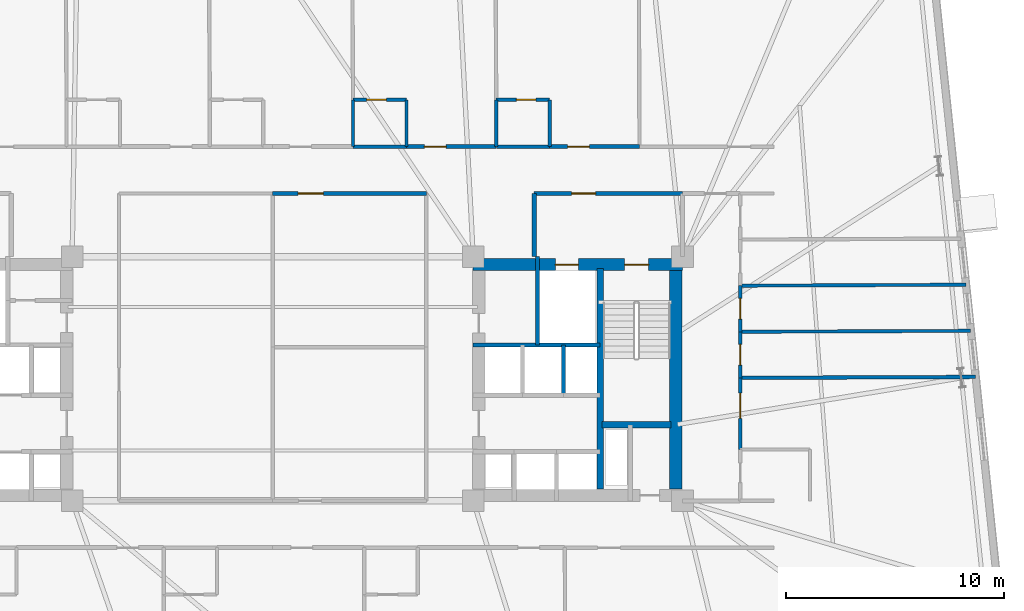
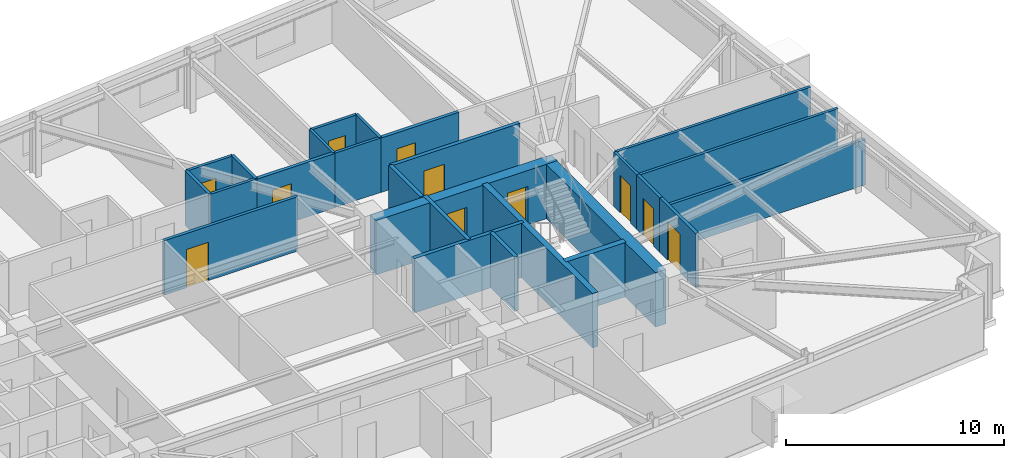
# One storey, part 15 of 19: 26 walls, 11 doors, 11 openings.
"""IFC4 building model written with IfcOpenShell, lengths in metres."""

from ifc_helpers import new_model, si_unit, direction, frame, frame_2d, origin, place, context, subcontext, project, spatial, rectangle, extrude, material, layer, layer_set, type_object, element, fill, save


model = new_model("IFC4")

# Units and contexts
model_context = context("Model", 3, precision=1e-05, world=origin(), true_north=direction((0.0, 1.0)))
body_context = subcontext(model_context, "Body", "Model", "MODEL_VIEW")
ifc_project = project(units=[si_unit("LENGTHUNIT", "METRE"), si_unit("AREAUNIT", "SQUARE_METRE"), si_unit("VOLUMEUNIT", "CUBIC_METRE"), si_unit("PLANEANGLEUNIT", "RADIAN"), si_unit("MASSUNIT", "GRAM", prefix="KILO")], contexts=[model_context])

# Site, building, storey
site_placement = place(None, origin())
site = spatial("IfcSite", under=ifc_project, at=site_placement, CompositionType="ELEMENT")
building_placement = place(site_placement, origin())
building = spatial("IfcBuilding", under=site, at=building_placement, Name="Qobustan Lattice House", CompositionType="ELEMENT")
storey_placement = place(building_placement, frame((0.0, 0.0, 85.699951171875)))
storey = spatial("IfcBuildingStorey", under=building, at=storey_placement, Name="L23", CompositionType="ELEMENT", Elevation=85.699951171875)

# Wall, openings, doors
ifc_material_1 = material(Name="Concrete C60/75", Category="concrete")
ifc_layer_1 = layer(ifc_material_1, 0.56005859375)
ifc_layer_set_1 = layer_set([ifc_layer_1], Name="Concrete C60/75")
wall_type_1 = type_object("IfcWallType", Name="WAL-CORE-600", PredefinedType="SHEAR", material=ifc_layer_set_1)
wall_1_placement = place(storey_placement, frame((9.199951171875, 5.239990234375, 0.0), z_axis=(0.0, 0.0, 1.0), x_axis=(1.0, 0.0, 0.0)))
wall_1 = element("IfcWall", 1, at=wall_1_placement, inside=storey, type_object=wall_type_1, Name="L23 split-core shear wall CE-N", PredefinedType="SHEAR", context=body_context, shape_type="SweptSolid", body=[
    extrude(rectangle(XDim=9.60009765625, YDim=0.56005859375, at=frame_2d((4.800048828125, 0.0))), origin(), (0.0, 0.0, 1.0), 3.045166015625),
])
opening_1_placement = place(wall_1_placement, frame((6.949951171875, 0.0, 0.0)))
opening_1 = element("IfcOpeningElement", 2, at=opening_1_placement, cuts=wall_1, Name="Opening SD-01", PredefinedType="OPENING", context=body_context, shape_type="SweptSolid", body=[
    extrude(rectangle(XDim=1.10009765625, YDim=2.14990234375, at=frame_2d((0.550048828125, 1.074951171875))), frame((0.0, 0.2900390625, 0.0), z_axis=(0.0, -1.0, 0.0), x_axis=(1.0, 0.0, 0.0)), (0.0, 0.0, 1.0), 0.580078125),
])
opening_2_placement = place(wall_1_placement, frame((3.77490234375, 0.0, 0.0)))
opening_2 = element("IfcOpeningElement", 3, at=opening_2_placement, cuts=wall_1, Name="Opening LD-01", PredefinedType="OPENING", context=body_context, shape_type="SweptSolid", body=[
    extrude(rectangle(XDim=1.050048828125, YDim=2.10009765625, at=frame_2d((0.52490234375, 1.050048828125))), frame((0.0, 0.2900390625, 0.0), z_axis=(0.0, -1.0, 0.0), x_axis=(1.0, 0.0, 0.0)), (0.0, 0.0, 1.0), 0.580078125),
])
ifc_material_2 = material(Name="Persian walnut timber and steel frame door", Category="steel")
door_type_1 = type_object("IfcDoorType", Name="DOR-LIFT-LD-1050x2100", OperationType="NOTDEFINED", PredefinedType="DOOR", material=ifc_material_2)
door_1_placement = place(opening_2_placement, origin())
door_1 = element("IfcDoor", 4, at=door_1_placement, inside=storey, type_object=door_type_1, Name="L23 firefighting lift FF-E landing door", OperationType="DOUBLE_DOOR_SLIDING", OverallHeight=2.10009765625, OverallWidth=1.050048828125, PredefinedType="DOOR", context=body_context, shape_type="SweptSolid", body=[
    extrude(rectangle(XDim=1.050048828125, YDim=2.10009765625, at=frame_2d((0.52490234375, 1.050048828125))), frame((0.0, 0.02490234375, 0.0), z_axis=(0.0, -1.0, 0.0), x_axis=(1.0, 0.0, 0.0)), (0.0, 0.0, 1.0), 0.050048828125),
])
fill(opening_2, door_1)
ifc_material_3 = material(Name="Persian walnut timber and steel frame door", Category="steel")
door_type_2 = type_object("IfcDoorType", Name="DOR-STAIR-FD-1100x2150", OperationType="NOTDEFINED", PredefinedType="DOOR", material=ifc_material_3)
door_2_placement = place(opening_1_placement, origin())
door_2 = element("IfcDoor", 5, at=door_2_placement, inside=storey, type_object=door_type_2, Name="L23 exit stair ST-E1 fire door", OperationType="SINGLE_SWING_RIGHT", OverallHeight=2.14990234375, OverallWidth=1.10009765625, PredefinedType="DOOR", context=body_context, shape_type="SweptSolid", body=[
    extrude(rectangle(XDim=1.10009765625, YDim=2.14990234375, at=frame_2d((0.550048828125, 1.074951171875))), frame((0.0, 0.02490234375, 0.0), z_axis=(0.0, -1.0, 0.0), x_axis=(1.0, 0.0, 0.0)), (0.0, 0.0, 1.0), 0.050048828125),
])
fill(opening_1, door_2)

# Walls
wall_2_placement = place(storey_placement, frame((18.489990234375, -5.050048828125, 0.0), z_axis=(0.0, 0.0, 1.0), x_axis=(0.0, 1.0, 0.0)))
element("IfcWall", 6, at=wall_2_placement, inside=storey, type_object=wall_type_1, Name="L23 split-core shear wall CE-E", PredefinedType="SHEAR", context=body_context, shape_type="SweptSolid", body=[
    extrude(rectangle(XDim=10.10009765625, YDim=0.56005859375, at=frame_2d((5.050048828125, 0.0))), origin(), (0.0, 0.0, 1.0), 3.045166015625),
])
ifc_material_4 = material(Name="Concrete C50/60", Category="concrete")
ifc_layer_2 = layer(ifc_material_4, 0.280029296875)
ifc_layer_set_2 = layer_set([ifc_layer_2], Name="Concrete C50/60")
wall_type_2 = type_object("IfcWallType", Name="WAL-CORE-SPINE-280", PredefinedType="SHEAR", material=ifc_layer_set_2)
wall_3_placement = place(storey_placement, frame((15.02001953125, -5.050048828125, 0.0), z_axis=(0.0, 0.0, 1.0), x_axis=(0.0, 1.0, 0.0)))
element("IfcWall", 7, at=wall_3_placement, inside=storey, type_object=wall_type_2, Name="L23 split-core shear wall CE-M", PredefinedType="SHEAR", context=body_context, shape_type="SweptSolid", body=[
    extrude(rectangle(XDim=10.10009765625, YDim=0.300048828125, at=frame_2d((5.050048828125, 0.0))), origin(), (0.0, 0.0, 1.0), 3.045166015625),
])
wall_4_placement = place(storey_placement, frame((15.10009765625, -2.110107421875, 0.0), z_axis=(0.0, 0.0, 1.0), x_axis=(1.0, 0.0, 0.0)))
element("IfcWall", 8, at=wall_4_placement, inside=storey, type_object=wall_type_2, Name="L23 split-core shear wall CE-ST", PredefinedType="SHEAR", context=body_context, shape_type="SweptSolid", body=[
    extrude(rectangle(XDim=3.179931640625, YDim=0.300048828125, at=frame_2d((1.58984375, 0.0))), origin(), (0.0, 0.0, 1.0), 3.045166015625),
])

# Wall, opening, door
ifc_material_5 = material(Name="Gypsum fireboard acoustic partition", Category="gypsum")
ifc_layer_3 = layer(ifc_material_5, 0.179931640625)
ifc_layer_set_3 = layer_set([ifc_layer_3], Name="Gypsum fireboard acoustic partition")
wall_type_3 = type_object("IfcWallType", Name="WAL-FIRE-180", PredefinedType="PARTITIONING", material=ifc_layer_set_3)
wall_5_placement = place(storey_placement, frame((6.135986328125, 10.64990234375, 0.0), z_axis=(0.0, 0.0, 1.0), x_axis=(1.0, 0.0, 0.0)))
wall_5 = element("IfcWall", 9, at=wall_5_placement, inside=storey, type_object=wall_type_3, Name="L23 interior partition 50", PredefinedType="PARTITIONING", context=body_context, shape_type="SweptSolid", body=[
    extrude(rectangle(XDim=4.12109375, YDim=0.179931640625, at=frame_2d((2.060546875, 0.0))), origin(), (0.0, 0.0, 1.0), 3.045166015625),
])
opening_3_placement = place(wall_5_placement, frame((0.8251953125, 0.0, 0.0)))
opening_3 = element("IfcOpeningElement", 10, at=opening_3_placement, cuts=wall_5, Name="Opening FD-02", PredefinedType="OPENING", context=body_context, shape_type="SweptSolid", body=[
    extrude(rectangle(XDim=1.0, YDim=2.14990234375, at=frame_2d((0.5, 1.074951171875))), frame((0.0, 0.099853515625, 0.0), z_axis=(0.0, -1.0, 0.0), x_axis=(1.0, 0.0, 0.0)), (0.0, 0.0, 1.0), 0.199951171875),
])
ifc_material_6 = material(Name="Persian walnut timber and steel frame door", Category="steel")
door_type_3 = type_object("IfcDoorType", Name="DOR-UNIT-FD-1000x2150", OperationType="NOTDEFINED", PredefinedType="DOOR", material=ifc_material_6)
door_3_placement = place(opening_3_placement, origin())
door_3 = element("IfcDoor", 11, at=door_3_placement, inside=storey, type_object=door_type_3, Name="L23 North-east floor corridor to Kitchenette and studio apartment L23-N5 door", OperationType="SINGLE_SWING_LEFT", OverallHeight=2.14990234375, OverallWidth=1.0, PredefinedType="DOOR", context=body_context, shape_type="SweptSolid", body=[
    extrude(rectangle(XDim=1.0, YDim=2.14990234375, at=frame_2d((0.5, 1.074951171875))), frame((0.0, 0.02490234375, 0.0), z_axis=(0.0, -1.0, 0.0), x_axis=(1.0, 0.0, 0.0)), (0.0, 0.0, 1.0), 0.050048828125),
])
fill(opening_3, door_3)

wall_6_placement = place(storey_placement, frame((12.70703125, 10.64990234375, 0.0), z_axis=(0.0, 0.0, 1.0), x_axis=(1.0, 0.0, 0.0)))
wall_6 = element("IfcWall", 12, at=wall_6_placement, inside=storey, type_object=wall_type_3, Name="L23 interior partition 52", PredefinedType="PARTITIONING", context=body_context, shape_type="SweptSolid", body=[
    extrude(rectangle(XDim=4.1220703125, YDim=0.179931640625, at=frame_2d((2.06103515625, 0.0))), origin(), (0.0, 0.0, 1.0), 3.045166015625),
])
opening_4_placement = place(wall_6_placement, frame((0.8251953125, 0.0, 0.0)))
opening_4 = element("IfcOpeningElement", 13, at=opening_4_placement, cuts=wall_6, Name="Opening FD-02", PredefinedType="OPENING", context=body_context, shape_type="SweptSolid", body=[
    extrude(rectangle(XDim=1.0, YDim=2.14990234375, at=frame_2d((0.5, 1.074951171875))), frame((0.0, 0.099853515625, 0.0), z_axis=(0.0, -1.0, 0.0), x_axis=(1.0, 0.0, 0.0)), (0.0, 0.0, 1.0), 0.199951171875),
])
door_4_placement = place(opening_4_placement, origin())
door_4 = element("IfcDoor", 14, at=door_4_placement, inside=storey, type_object=door_type_3, Name="L23 North-east floor corridor to Kitchenette and studio apartment L23-N6 door", OperationType="SINGLE_SWING_RIGHT", OverallHeight=2.14990234375, OverallWidth=1.0, PredefinedType="DOOR", context=body_context, shape_type="SweptSolid", body=[
    extrude(rectangle(XDim=1.0, YDim=2.14990234375, at=frame_2d((0.5, 1.074951171875))), frame((0.0, 0.02490234375, 0.0), z_axis=(0.0, -1.0, 0.0), x_axis=(1.0, 0.0, 0.0)), (0.0, 0.0, 1.0), 0.050048828125),
])
fill(opening_4, door_4)

ifc_material_7 = material(Name="Acoustic twin-stud gypsum partition", Category="gypsum")
ifc_layer_4 = layer(ifc_material_7, 0.14990234375)
ifc_layer_set_4 = layer_set([ifc_layer_4], Name="Acoustic twin-stud gypsum partition")
wall_type_4 = type_object("IfcWallType", Name="WAL-PART-150", PredefinedType="PARTITIONING", material=ifc_layer_set_4)
wall_7_placement = place(storey_placement, frame((21.449951171875, 2.155029296875, 0.0), z_axis=(0.0, 0.0, 1.0), x_axis=(0.0, -1.0, 0.0)))
wall_7 = element("IfcWall", 15, at=wall_7_placement, inside=storey, type_object=wall_type_4, Name="L23 interior partition 86", PredefinedType="PARTITIONING", context=body_context, shape_type="SweptSolid", body=[
    extrude(rectangle(XDim=2.114990234375, YDim=0.14990234375, at=frame_2d((1.0576171875, 0.0))), origin(), (0.0, 0.0, 1.0), 3.045166015625),
])
opening_5_placement = place(wall_7_placement, frame((0.58251953125, 0.0, 0.0)))
opening_5 = element("IfcOpeningElement", 16, at=opening_5_placement, cuts=wall_7, Name="Opening ID-01", PredefinedType="OPENING", context=body_context, shape_type="SweptSolid", body=[
    extrude(rectangle(XDim=0.949951171875, YDim=2.10009765625, at=frame_2d((0.47509765625, 1.050048828125))), frame((0.0, 0.0849609375, 0.0), z_axis=(0.0, -1.0, 0.0), x_axis=(1.0, 0.0, 0.0)), (0.0, 0.0, 1.0), 0.169921875),
])
ifc_material_8 = material(Name="Persian walnut timber and steel frame door", Category="steel")
door_type_4 = type_object("IfcDoorType", Name="DOR-ROOM-950x2100", OperationType="NOTDEFINED", PredefinedType="DOOR", material=ifc_material_8)
door_5_placement = place(opening_5_placement, origin())
door_5 = element("IfcDoor", 17, at=door_5_placement, inside=storey, type_object=door_type_4, Name="L23 Residence entrance hall L23E to Cluster bedroom L23E1 door", OperationType="SINGLE_SWING_RIGHT", OverallHeight=2.10009765625, OverallWidth=0.949951171875, PredefinedType="DOOR", context=body_context, shape_type="SweptSolid", body=[
    extrude(rectangle(XDim=0.949951171875, YDim=2.10009765625, at=frame_2d((0.47509765625, 1.050048828125))), frame((0.0, 0.02490234375, 0.0), z_axis=(0.0, -1.0, 0.0), x_axis=(1.0, 0.0, 0.0)), (0.0, 0.0, 1.0), 0.050048828125),
])
fill(opening_5, door_5)

wall_8_placement = place(storey_placement, frame((21.449951171875, 4.27001953125, 0.0), z_axis=(0.0, 0.0, 1.0), x_axis=(0.0, -1.0, 0.0)))
wall_8 = element("IfcWall", 18, at=wall_8_placement, inside=storey, type_object=wall_type_4, Name="L23 interior partition 87", PredefinedType="PARTITIONING", context=body_context, shape_type="SweptSolid", body=[
    extrude(rectangle(XDim=2.114990234375, YDim=0.14990234375, at=frame_2d((1.0576171875, 0.0))), origin(), (0.0, 0.0, 1.0), 3.045166015625),
])
opening_6_placement = place(wall_8_placement, frame((0.58251953125, 0.0, 0.0)))
opening_6 = element("IfcOpeningElement", 19, at=opening_6_placement, cuts=wall_8, Name="Opening ID-01", PredefinedType="OPENING", context=body_context, shape_type="SweptSolid", body=[
    extrude(rectangle(XDim=0.949951171875, YDim=2.10009765625, at=frame_2d((0.47509765625, 1.050048828125))), frame((0.0, 0.0849609375, 0.0), z_axis=(0.0, -1.0, 0.0), x_axis=(1.0, 0.0, 0.0)), (0.0, 0.0, 1.0), 0.169921875),
])
door_6_placement = place(opening_6_placement, origin())
door_6 = element("IfcDoor", 20, at=door_6_placement, inside=storey, type_object=door_type_4, Name="L23 Residence entrance hall L23E to Cluster bedroom L23E2 door", OperationType="SINGLE_SWING_LEFT", OverallHeight=2.10009765625, OverallWidth=0.949951171875, PredefinedType="DOOR", context=body_context, shape_type="SweptSolid", body=[
    extrude(rectangle(XDim=0.949951171875, YDim=2.10009765625, at=frame_2d((0.47509765625, 1.050048828125))), frame((0.0, 0.02490234375, 0.0), z_axis=(0.0, -1.0, 0.0), x_axis=(1.0, 0.0, 0.0)), (0.0, 0.0, 1.0), 0.050048828125),
])
fill(opening_6, door_6)

# Walls
wall_9_placement = place(storey_placement, frame((21.449951171875, 2.155029296875, 0.0), z_axis=(0.0, 0.0, 1.0), x_axis=(0.999991365588, 0.004155568413, 0.0)))
element("IfcWall", 21, at=wall_9_placement, inside=storey, type_object=wall_type_4, Name="L23 interior partition 93", PredefinedType="PARTITIONING", context=body_context, shape_type="SweptSolid", body=[
    extrude(rectangle(XDim=10.574951171875, YDim=0.14990234375, at=frame_2d((5.28759765625, 0.0))), origin(), (0.0, 0.0, 1.0), 3.045166015625),
])
wall_10_placement = place(storey_placement, frame((21.449951171875, 4.27001953125, 0.0), z_axis=(0.0, 0.0, 1.0), x_axis=(0.999990991033, 0.004244744214, 0.0)))
element("IfcWall", 22, at=wall_10_placement, inside=storey, type_object=wall_type_4, Name="L23 interior partition 94", PredefinedType="PARTITIONING", context=body_context, shape_type="SweptSolid", body=[
    extrude(rectangle(XDim=10.352783203125, YDim=0.14990234375, at=frame_2d((5.17626953125, 0.0))), origin(), (0.0, 0.0, 1.0), 3.045166015625),
])

# Wall, opening, door
ifc_material_9 = material(Name="High-mass acoustic twin-stud partition", Category="gypsum")
ifc_layer_5 = layer(ifc_material_9, 0.1650390625)
ifc_layer_set_5 = layer_set([ifc_layer_5], Name="High-mass acoustic twin-stud partition")
wall_type_5 = type_object("IfcWallType", Name="WAL-PART-165", PredefinedType="PARTITIONING", material=ifc_layer_set_5)
wall_11_placement = place(storey_placement, frame((7.050048828125, 8.5, 0.0), z_axis=(0.0, 0.0, 1.0), x_axis=(-1.0, 0.0, 0.0)))
wall_11 = element("IfcWall", 23, at=wall_11_placement, inside=storey, type_object=wall_type_5, Name="L23 interior partition 55", PredefinedType="PARTITIONING", context=body_context, shape_type="SweptSolid", body=[
    extrude(rectangle(XDim=7.050048828125, YDim=0.1650390625, at=frame_2d((3.52490234375, 0.0))), origin(), (0.0, 0.0, 1.0), 3.045166015625),
])
opening_7_placement = place(wall_11_placement, frame((4.7275390625, 0.0, 0.0)))
opening_7 = element("IfcOpeningElement", 24, at=opening_7_placement, cuts=wall_11, Name="Opening ID-03", PredefinedType="OPENING", context=body_context, shape_type="SweptSolid", body=[
    extrude(rectangle(XDim=1.14990234375, YDim=2.14990234375, at=frame_2d((0.574951171875, 1.074951171875))), frame((0.0, 0.092529296875, 0.0), z_axis=(0.0, -1.0, 0.0), x_axis=(1.0, 0.0, 0.0)), (0.0, 0.0, 1.0), 0.18505859375),
])
ifc_material_10 = material(Name="Persian walnut timber and steel frame door", Category="steel")
door_type_5 = type_object("IfcDoorType", Name="DOR-KITCH-1150x2150", OperationType="NOTDEFINED", PredefinedType="DOOR", material=ifc_material_10)
door_7_placement = place(opening_7_placement, origin())
door_7 = element("IfcDoor", 25, at=door_7_placement, inside=storey, type_object=door_type_5, Name="L23 North-east floor corridor to Communal kitchen dining door", OperationType="SINGLE_SWING_RIGHT", OverallHeight=2.14990234375, OverallWidth=1.14990234375, PredefinedType="DOOR", context=body_context, shape_type="SweptSolid", body=[
    extrude(rectangle(XDim=1.14990234375, YDim=2.14990234375, at=frame_2d((0.574951171875, 1.074951171875))), frame((0.0, 0.02490234375, 0.0), z_axis=(0.0, -1.0, 0.0), x_axis=(1.0, 0.0, 0.0)), (0.0, 0.0, 1.0), 0.050048828125),
])
fill(opening_7, door_7)

wall_12_placement = place(storey_placement, frame((21.449951171875, 0.0400390625, 0.0), z_axis=(0.0, 0.0, 1.0), x_axis=(0.0, -1.0, 0.0)))
wall_12 = element("IfcWall", 26, at=wall_12_placement, inside=storey, type_object=wall_type_5, Name="L23 interior partition 85", PredefinedType="PARTITIONING", context=body_context, shape_type="SweptSolid", body=[
    extrude(rectangle(XDim=3.2900390625, YDim=0.1650390625, at=frame_2d((1.64501953125, 0.0))), origin(), (0.0, 0.0, 1.0), 3.045166015625),
])
opening_8_placement = place(wall_12_placement, frame((0.702392578125, 0.0, 0.0)))
opening_8 = element("IfcOpeningElement", 27, at=opening_8_placement, cuts=wall_12, Name="Opening ID-03", PredefinedType="OPENING", context=body_context, shape_type="SweptSolid", body=[
    extrude(rectangle(XDim=1.14990234375, YDim=2.14990234375, at=frame_2d((0.574951171875, 1.074951171875))), frame((0.0, 0.092529296875, 0.0), z_axis=(0.0, -1.0, 0.0), x_axis=(1.0, 0.0, 0.0)), (0.0, 0.0, 1.0), 0.18505859375),
])
door_8_placement = place(opening_8_placement, origin())
door_8 = element("IfcDoor", 28, at=door_8_placement, inside=storey, type_object=door_type_5, Name="L23 Residence entrance hall L23E to Shared kitchen L23E door", OperationType="SINGLE_SWING_LEFT", OverallHeight=2.14990234375, OverallWidth=1.14990234375, PredefinedType="DOOR", context=body_context, shape_type="SweptSolid", body=[
    extrude(rectangle(XDim=1.14990234375, YDim=2.14990234375, at=frame_2d((0.574951171875, 1.074951171875))), frame((0.0, 0.02490234375, 0.0), z_axis=(0.0, -1.0, 0.0), x_axis=(1.0, 0.0, 0.0)), (0.0, 0.0, 1.0), 0.050048828125),
])
fill(opening_8, door_8)

# Wall
wall_13_placement = place(storey_placement, frame((21.449951171875, 0.0400390625, 0.0), z_axis=(0.0, 0.0, 1.0), x_axis=(0.999991717636, 0.004069970361, 0.0)))
element("IfcWall", 29, at=wall_13_placement, inside=storey, type_object=wall_type_5, Name="L23 interior partition 92", PredefinedType="PARTITIONING", context=body_context, shape_type="SweptSolid", body=[
    extrude(rectangle(XDim=10.79736328125, YDim=0.1650390625, at=frame_2d((5.398681640625, 0.0))), origin(), (0.0, 0.0, 1.0), 2.530029296875),
])

# Wall, opening, door
ifc_material_11 = material(Name="Two-hour gypsum fireboard acoustic partition", Category="gypsum")
ifc_layer_6 = layer(ifc_material_11, 0.199951171875)
ifc_layer_set_6 = layer_set([ifc_layer_6], Name="Two-hour gypsum fireboard acoustic partition")
wall_type_6 = type_object("IfcWallType", Name="WAL-PROT-200", PredefinedType="PARTITIONING", material=ifc_layer_set_6)
wall_14_placement = place(storey_placement, frame((18.800048828125, 8.5, 0.0), z_axis=(0.0, 0.0, 1.0), x_axis=(-1.0, 0.0, 0.0)))
wall_14 = element("IfcWall", 30, at=wall_14_placement, inside=storey, type_object=wall_type_6, Name="L23 interior partition 22", PredefinedType="PARTITIONING", context=body_context, shape_type="SweptSolid", body=[
    extrude(rectangle(XDim=6.800048828125, YDim=0.199951171875, at=frame_2d((3.39990234375, 0.0))), origin(), (0.0, 0.0, 1.0), 3.045166015625),
])
opening_9_placement = place(wall_14_placement, frame((3.985107421875, 0.0, 0.0)))
opening_9 = element("IfcOpeningElement", 31, at=opening_9_placement, cuts=wall_14, Name="Opening SD-01", PredefinedType="OPENING", context=body_context, shape_type="SweptSolid", body=[
    extrude(rectangle(XDim=1.10009765625, YDim=2.14990234375, at=frame_2d((0.550048828125, 1.074951171875))), frame((0.0, 0.10986328125, 0.0), z_axis=(0.0, -1.0, 0.0), x_axis=(1.0, 0.0, 0.0)), (0.0, 0.0, 1.0), 0.219970703125),
])
door_9_placement = place(opening_9_placement, origin())
door_9 = element("IfcDoor", 32, at=door_9_placement, inside=storey, type_object=door_type_2, Name="L23 East firefighting lift lobby to North-east floor corridor door", OperationType="SINGLE_SWING_LEFT", OverallHeight=2.14990234375, OverallWidth=1.10009765625, PredefinedType="DOOR", context=body_context, shape_type="SweptSolid", body=[
    extrude(rectangle(XDim=1.10009765625, YDim=2.14990234375, at=frame_2d((0.550048828125, 1.074951171875))), frame((0.0, 0.02490234375, 0.0), z_axis=(0.0, -1.0, 0.0), x_axis=(1.0, 0.0, 0.0)), (0.0, 0.0, 1.0), 0.050048828125),
])
fill(opening_9, door_9)

# Walls
wall_15_placement = place(storey_placement, frame((12.0, 8.5, 0.0), z_axis=(0.0, 0.0, 1.0), x_axis=(0.0, -1.0, 0.0)))
element("IfcWall", 33, at=wall_15_placement, inside=storey, type_object=wall_type_6, Name="L23 interior partition 23", PredefinedType="PARTITIONING", context=body_context, shape_type="SweptSolid", body=[
    extrude(rectangle(XDim=2.89990234375, YDim=0.199951171875, at=frame_2d((1.449951171875, 0.0))), origin(), (0.0, 0.0, 1.0), 3.045166015625),
])
ifc_material_12 = material(Name="Concrete C40/50", Category="concrete")
ifc_layer_7 = layer(ifc_material_12, 0.199951171875)
ifc_layer_set_7 = layer_set([ifc_layer_7], Name="Concrete C40/50")
wall_type_7 = type_object("IfcWallType", Name="WAL-SHAFT-200", PredefinedType="PARTITIONING", material=ifc_layer_set_7)
wall_16_placement = place(storey_placement, frame((12.14990234375, 5.60009765625, 0.0), z_axis=(0.0, 0.0, 1.0), x_axis=(0.0, -1.0, 0.0)))
element("IfcWall", 34, at=wall_16_placement, inside=storey, type_object=wall_type_7, Name="L23 interior partition 21", PredefinedType="PARTITIONING", context=body_context, shape_type="SweptSolid", body=[
    extrude(rectangle(XDim=4.050048828125, YDim=0.199951171875, at=frame_2d((2.02490234375, 0.0))), origin(), (0.0, 0.0, 1.0), 3.045166015625),
])
wall_17_placement = place(storey_placement, frame((13.340087890625, -0.75, 0.0), z_axis=(0.0, 0.0, 1.0), x_axis=(0.0, 1.0, 0.0)))
element("IfcWall", 35, at=wall_17_placement, inside=storey, type_object=wall_type_7, Name="L23 interior partition 36", PredefinedType="PARTITIONING", context=body_context, shape_type="SweptSolid", body=[
    extrude(rectangle(XDim=2.300048828125, YDim=0.199951171875, at=frame_2d((1.14990234375, 0.0))), origin(), (0.0, 0.0, 1.0), 3.045166015625),
])
wall_18_placement = place(storey_placement, frame((9.199951171875, 1.550048828125, 0.0), z_axis=(0.0, 0.0, 1.0), x_axis=(1.0, 0.0, 0.0)))
element("IfcWall", 36, at=wall_18_placement, inside=storey, type_object=wall_type_7, Name="L23 interior partition 133", PredefinedType="PARTITIONING", context=body_context, shape_type="SweptSolid", body=[
    extrude(rectangle(XDim=5.820068359375, YDim=0.199951171875, at=frame_2d((2.91015625, 0.0))), origin(), (0.0, 0.0, 1.0), 3.045166015625),
])
ifc_material_13 = material(Name="Moisture-resistant acoustic plumbing wall", Category="gypsum")
ifc_layer_8 = layer(ifc_material_13, 0.14990234375)
ifc_layer_set_8 = layer_set([ifc_layer_8], Name="Moisture-resistant acoustic plumbing wall")
wall_type_8 = type_object("IfcWallType", Name="WAL-WET-150", PredefinedType="PLUMBINGWALL", material=ifc_layer_set_8)
for number, where, z_axis, x_axis, name in (
    (37, (3.68603515625, 10.64990234375, 0.0), (0.0, 0.0, 1.0), (1.0, 0.0, 0.0), "L23 interior partition 51"),
    (38, (10.257080078125, 10.64990234375, 0.0), (0.0, 0.0, 1.0), (1.0, 0.0, 0.0), "L23 interior partition 53"),
):
    element("IfcWall", number, at=place(storey_placement, frame(where, z_axis=z_axis, x_axis=x_axis)), inside=storey, type_object=wall_type_8, Name=name, PredefinedType="PLUMBINGWALL", context=body_context, shape_type="SweptSolid", body=[
        extrude(rectangle(XDim=2.449951171875, YDim=0.14990234375, at=frame_2d((1.22509765625, 0.0))), origin(), (0.0, 0.0, 1.0), 3.045166015625),
    ])
wall_19_placement = place(storey_placement, frame((3.68603515625, 12.800048828125, 0.0), z_axis=(0.0, 0.0, 1.0), x_axis=(0.0, -1.0, 0.0)))
element("IfcWall", 39, at=wall_19_placement, inside=storey, type_object=wall_type_8, Name="L23 interior partition 107", PredefinedType="PLUMBINGWALL", context=body_context, shape_type="SweptSolid", body=[
    extrude(rectangle(XDim=2.150146484375, YDim=0.14990234375, at=frame_2d((1.0751953125, 0.0))), origin(), (0.0, 0.0, 1.0), 3.045166015625),
])

# Wall, opening, door
wall_20_placement = place(storey_placement, frame((6.135986328125, 12.800048828125, 0.0), z_axis=(0.0, 0.0, 1.0), x_axis=(-1.0, 0.0, 0.0)))
wall_20 = element("IfcWall", 40, at=wall_20_placement, inside=storey, type_object=wall_type_8, Name="L23 interior partition 108", PredefinedType="PLUMBINGWALL", context=body_context, shape_type="SweptSolid", body=[
    extrude(rectangle(XDim=2.449951171875, YDim=0.14990234375, at=frame_2d((1.22509765625, 0.0))), origin(), (0.0, 0.0, 1.0), 3.045166015625),
])
opening_10_placement = place(wall_20_placement, frame((0.92138671875, 0.0, 0.0)))
opening_10 = element("IfcOpeningElement", 41, at=opening_10_placement, cuts=wall_20, Name="Opening WD-01", PredefinedType="OPENING", context=body_context, shape_type="SweptSolid", body=[
    extrude(rectangle(XDim=0.89990234375, YDim=2.10009765625, at=frame_2d((0.449951171875, 1.050048828125))), frame((0.0, 0.0849609375, 0.0), z_axis=(0.0, -1.0, 0.0), x_axis=(1.0, 0.0, 0.0)), (0.0, 0.0, 1.0), 0.169921875),
])
ifc_material_14 = material(Name="Persian walnut timber and steel frame door", Category="steel")
door_type_6 = type_object("IfcDoorType", Name="DOR-WET-900x2100", OperationType="NOTDEFINED", PredefinedType="DOOR", material=ifc_material_14)
door_10_placement = place(opening_10_placement, origin())
door_10 = element("IfcDoor", 42, at=door_10_placement, inside=storey, type_object=door_type_6, Name="L23 Kitchenette and studio apartment L23-N5 to En-suite bathroom L23-N5 door", OperationType="SINGLE_SWING_RIGHT", OverallHeight=2.10009765625, OverallWidth=0.89990234375, PredefinedType="DOOR", context=body_context, shape_type="SweptSolid", body=[
    extrude(rectangle(XDim=0.89990234375, YDim=2.10009765625, at=frame_2d((0.449951171875, 1.050048828125))), frame((0.0, 0.02490234375, 0.0), z_axis=(0.0, -1.0, 0.0), x_axis=(1.0, 0.0, 0.0)), (0.0, 0.0, 1.0), 0.050048828125),
])
fill(opening_10, door_10)

# Walls
for number, where, z_axis, x_axis, name in (
    (43, (6.135986328125, 10.64990234375, 0.0), (0.0, 0.0, 1.0), (0.0, 1.0, 0.0), "L23 interior partition 109"),
    (44, (10.257080078125, 12.800048828125, 0.0), (0.0, 0.0, 1.0), (0.0, -1.0, 0.0), "L23 interior partition 111"),
):
    element("IfcWall", number, at=place(storey_placement, frame(where, z_axis=z_axis, x_axis=x_axis)), inside=storey, type_object=wall_type_8, Name=name, PredefinedType="PLUMBINGWALL", context=body_context, shape_type="SweptSolid", body=[
        extrude(rectangle(XDim=2.150146484375, YDim=0.14990234375, at=frame_2d((1.0751953125, 0.0))), origin(), (0.0, 0.0, 1.0), 3.045166015625),
    ])

# Wall, opening, door
wall_21_placement = place(storey_placement, frame((12.70703125, 12.800048828125, 0.0), z_axis=(0.0, 0.0, 1.0), x_axis=(-1.0, 0.0, 0.0)))
wall_21 = element("IfcWall", 45, at=wall_21_placement, inside=storey, type_object=wall_type_8, Name="L23 interior partition 112", PredefinedType="PLUMBINGWALL", context=body_context, shape_type="SweptSolid", body=[
    extrude(rectangle(XDim=2.449951171875, YDim=0.14990234375, at=frame_2d((1.22509765625, 0.0))), origin(), (0.0, 0.0, 1.0), 3.045166015625),
])
opening_11_placement = place(wall_21_placement, frame((0.62890625, 0.0, 0.0)))
opening_11 = element("IfcOpeningElement", 46, at=opening_11_placement, cuts=wall_21, Name="Opening WD-01", PredefinedType="OPENING", context=body_context, shape_type="SweptSolid", body=[
    extrude(rectangle(XDim=0.89990234375, YDim=2.10009765625, at=frame_2d((0.449951171875, 1.050048828125))), frame((0.0, 0.0849609375, 0.0), z_axis=(0.0, -1.0, 0.0), x_axis=(1.0, 0.0, 0.0)), (0.0, 0.0, 1.0), 0.169921875),
])
door_11_placement = place(opening_11_placement, origin())
door_11 = element("IfcDoor", 47, at=door_11_placement, inside=storey, type_object=door_type_6, Name="L23 Kitchenette and studio apartment L23-N6 to En-suite bathroom L23-N6 door", OperationType="SINGLE_SWING_LEFT", OverallHeight=2.10009765625, OverallWidth=0.89990234375, PredefinedType="DOOR", context=body_context, shape_type="SweptSolid", body=[
    extrude(rectangle(XDim=0.89990234375, YDim=2.10009765625, at=frame_2d((0.449951171875, 1.050048828125))), frame((0.0, 0.02490234375, 0.0), z_axis=(0.0, -1.0, 0.0), x_axis=(1.0, 0.0, 0.0)), (0.0, 0.0, 1.0), 0.050048828125),
])
fill(opening_11, door_11)

# Wall
wall_22_placement = place(storey_placement, frame((12.70703125, 10.64990234375, 0.0), z_axis=(0.0, 0.0, 1.0), x_axis=(0.0, 1.0, 0.0)))
element("IfcWall", 48, at=wall_22_placement, inside=storey, type_object=wall_type_8, Name="L23 interior partition 113", PredefinedType="PLUMBINGWALL", context=body_context, shape_type="SweptSolid", body=[
    extrude(rectangle(XDim=2.150146484375, YDim=0.14990234375, at=frame_2d((1.0751953125, 0.0))), origin(), (0.0, 0.0, 1.0), 3.045166015625),
])

save(model, "model.ifc")
